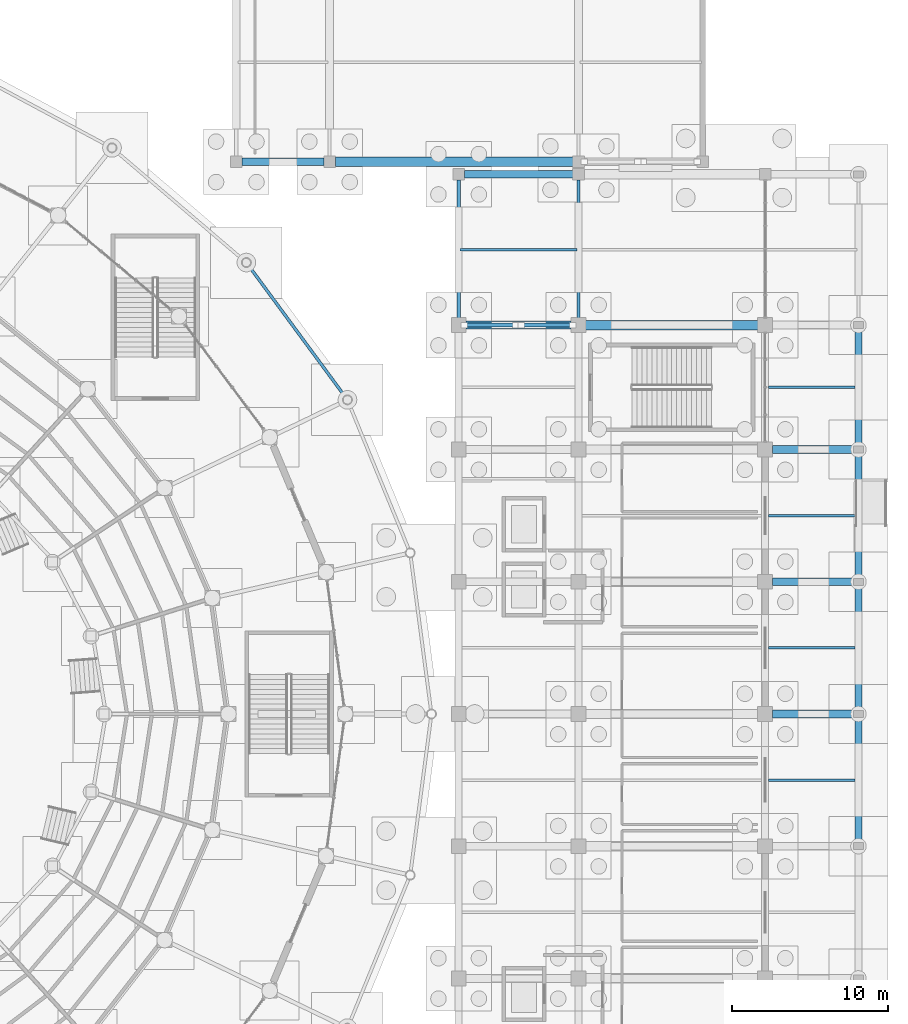
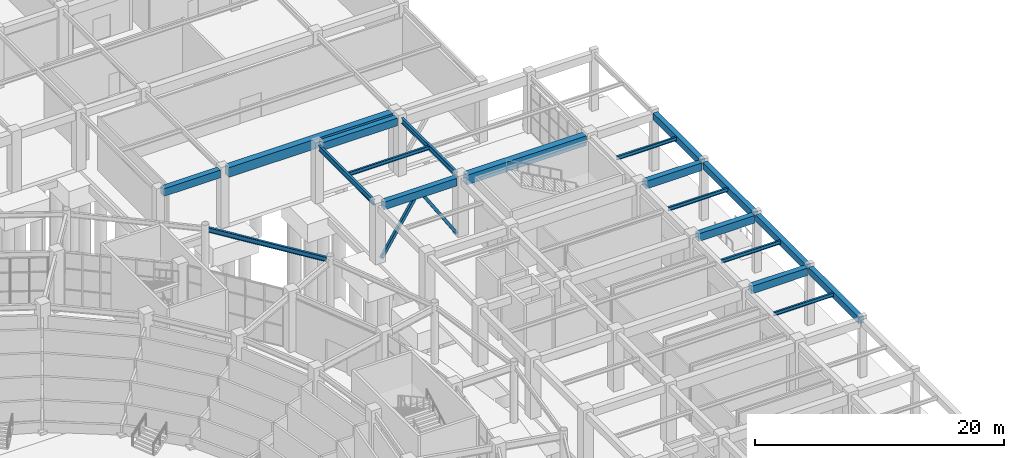
# One storey, part 60 of 121: 20 beams, 2 members.
"""IFC4 building model written with IfcOpenShell, lengths in metres."""

from ifc_helpers import new_model, si_unit, direction, frame, origin, origin_2d, place, context, subcontext, project, spatial, rectangle, hollow_rectangle, i_section, extrude, material, material_profile, profile_set, type_object, element, save


model = new_model("IFC4")

# Units and contexts
model_context = context("Model", 3, precision=1e-05, world=origin(), true_north=direction((0.0, 1.0)))
body_context = subcontext(model_context, "Body", "Model", "MODEL_VIEW")
ifc_project = project(units=[si_unit("LENGTHUNIT", "METRE"), si_unit("AREAUNIT", "SQUARE_METRE"), si_unit("VOLUMEUNIT", "CUBIC_METRE"), si_unit("PLANEANGLEUNIT", "RADIAN"), si_unit("MASSUNIT", "GRAM", prefix="KILO")], contexts=[model_context])

# Site, building, storey
site_placement = place(None, origin())
site = spatial("IfcSite", under=ifc_project, at=site_placement, CompositionType="ELEMENT")
building_placement = place(site_placement, origin())
building = spatial("IfcBuilding", under=site, at=building_placement, Name="Cuetzalor Civic Arena", CompositionType="ELEMENT")
storey_placement = place(building_placement, origin())
storey = spatial("IfcBuildingStorey", under=building, at=storey_placement, Name="L00", CompositionType="ELEMENT", Elevation=0.0)

# Beams
ifc_material_1 = material(Name="Concrete C40/50", Category="concrete")
ifc_material_profile_1 = material_profile(ifc_material_1, rectangle(XDim=0.5, YDim=0.75, at=origin_2d()), Name="RC 500x750")
ifc_profile_set_1 = profile_set([ifc_material_profile_1], Name="Concrete C40/50")
beam_type_1 = type_object("IfcBeamType", Name="ConcreteFrameBeam_500x750", PredefinedType="BEAM", material=ifc_profile_set_1)
for number, where, z_axis, x_axis, name in (
    (1, (76.465087890625, 0.0, 5.324951171875), (1.0, 0.0, 0.0), (0.0, 1.0, 0.0), "Frame Girder V4E-L00-X0158"),
    (2, (76.465087890625, 8.5, 5.324951171875), (1.0, 0.0, 0.0), (0.0, 1.0, 0.0), "Frame Girder V4E-L00-X0161"),
    (3, (76.465087890625, 17.0, 5.324951171875), (1.0, 0.0, 0.0), (0.0, 1.0, 0.0), "Frame Girder V4E-L00-X0164"),
):
    element("IfcBeam", number, at=place(storey_placement, frame(where, z_axis=z_axis, x_axis=x_axis)), inside=storey, type_object=beam_type_1, Name=name, PredefinedType="BEAM", context=body_context, shape_type="SweptSolid", body=[
        extrude(rectangle(XDim=0.5, YDim=0.75, at=origin_2d()), origin(), (0.0, 0.0, 1.0), 5.219970703125),
    ])
beam_1_placement = place(storey_placement, frame((56.764892578125, 25.0, 5.324951171875), z_axis=(1.0, 0.0, 0.0), x_axis=(0.0, 1.0, 0.0)))
element("IfcBeam", 4, at=beam_1_placement, inside=storey, type_object=beam_type_1, Name="Frame Girder V4E-L00-X0165", PredefinedType="BEAM", context=body_context, shape_type="SweptSolid", body=[
    extrude(rectangle(XDim=0.5, YDim=0.75, at=origin_2d()), origin(), (0.0, 0.0, 1.0), 6.77001953125),
])
beam_2_placement = place(storey_placement, frame((56.6650390625, 34.699951171875, 5.324951171875), z_axis=(1.0, 0.0, 0.0), x_axis=(0.0, 1.0, 0.0)))
element("IfcBeam", 5, at=beam_2_placement, inside=storey, type_object=beam_type_1, Name="Frame Girder V4E-L00-X0168", PredefinedType="BEAM", context=body_context, shape_type="SweptSolid", body=[
    extrude(rectangle(XDim=0.5, YDim=0.75, at=origin_2d()), origin(), (0.0, 0.0, 1.0), 6.969970703125),
])
beam_3_placement = place(storey_placement, frame((42.364990234375, 35.5, 5.324951171875), z_axis=(1.0, 0.0, 0.0), x_axis=(0.0, 1.0, 0.0)))
element("IfcBeam", 6, at=beam_3_placement, inside=storey, type_object=beam_type_1, Name="Frame Girder V5-L00-X0216", PredefinedType="BEAM", context=body_context, shape_type="SweptSolid", body=[
    extrude(rectangle(XDim=0.5, YDim=0.75, at=origin_2d()), origin(), (0.0, 0.0, 1.0), 5.27001953125),
])
ifc_material_2 = material(Name="Concrete C40/50", Category="concrete")
ifc_material_profile_2 = material_profile(ifc_material_2, rectangle(XDim=0.60009765625, YDim=0.949951171875, at=origin_2d()), Name="RC 600x950")
ifc_profile_set_2 = profile_set([ifc_material_profile_2], Name="Concrete C40/50")
beam_type_2 = type_object("IfcBeamType", Name="ConcreteFrameBeam_600x950", PredefinedType="BEAM", material=ifc_profile_set_2)
beam_4_placement = place(storey_placement, frame((64.465087890625, 25.0, 5.22509765625), z_axis=(1.0, 0.0, 0.0), x_axis=(0.0, 1.0, 0.0)))
element("IfcBeam", 7, at=beam_4_placement, inside=storey, type_object=beam_type_2, Name="Frame Girder V4E-L00-X0166", PredefinedType="BEAM", context=body_context, shape_type="SweptSolid", body=[
    extrude(rectangle(XDim=0.60009765625, YDim=0.949951171875, at=origin_2d()), origin(), (0.0, 0.0, 1.0), 11.06982421875),
])
beam_5_placement = place(storey_placement, frame((48.364990234375, 35.5, 5.22509765625), z_axis=(1.0, 0.0, 0.0), x_axis=(0.0, 1.0, 0.0)))
element("IfcBeam", 8, at=beam_5_placement, inside=storey, type_object=beam_type_2, Name="Frame Girder V5-L00-X0217", PredefinedType="BEAM", context=body_context, shape_type="SweptSolid", body=[
    extrude(rectangle(XDim=0.60009765625, YDim=0.949951171875, at=origin_2d()), origin(), (0.0, 0.0, 1.0), 15.27001953125),
])
ifc_material_3 = material(Name="Concrete C40/50", Category="concrete")
ifc_material_profile_3 = material_profile(ifc_material_3, rectangle(XDim=0.449951171875, YDim=0.64990234375, at=origin_2d()), Name="RC 450x650")
ifc_profile_set_3 = profile_set([ifc_material_profile_3], Name="Concrete C40/50")
beam_type_3 = type_object("IfcBeamType", Name="ConcreteTieBeam_450x650", PredefinedType="BEAM", material=ifc_profile_set_3)
for number, where, z_axis, x_axis, name in (
    (9, (82.0, -8.284912109375, 5.375), (0.0, 1.0, 0.0), (-1.0, 0.0, 0.0), "Frame Girder V4E-L00-Y0208"),
    (10, (82.0, 0.215087890625, 5.375), (0.0, 1.0, 0.0), (-1.0, 0.0, 0.0), "Frame Girder V4E-L00-Y0209"),
    (11, (82.0, 8.715087890625, 5.375), (0.0, 1.0, 0.0), (-1.0, 0.0, 0.0), "Frame Girder V4E-L00-Y0210"),
):
    element("IfcBeam", number, at=place(storey_placement, frame(where, z_axis=z_axis, x_axis=x_axis)), inside=storey, type_object=beam_type_3, Name=name, PredefinedType="BEAM", context=body_context, shape_type="SweptSolid", body=[
        extrude(rectangle(XDim=0.449951171875, YDim=0.64990234375, at=origin_2d()), origin(), (0.0, 0.0, 1.0), 8.06982421875),
    ])
beam_6_placement = place(storey_placement, frame((82.0, 17.215087890625, 5.375), z_axis=(0.0, 1.0, 0.0), x_axis=(-1.0, 0.0, 0.0)))
element("IfcBeam", 12, at=beam_6_placement, inside=storey, type_object=beam_type_3, Name="Frame Girder V4E-L00-Y0211", PredefinedType="BEAM", context=body_context, shape_type="SweptSolid", body=[
    extrude(rectangle(XDim=0.449951171875, YDim=0.64990234375, at=origin_2d()), origin(), (0.0, 0.0, 1.0), 7.56982421875),
])
ifc_material_4 = material(Name="Steel S355", Category="steel")
ifc_material_profile_4 = material_profile(ifc_material_4, i_section(OverallWidth=0.18994140625, OverallDepth=0.45703125, WebThickness=0.009033203125, FlangeThickness=0.014404296875, at=origin_2d()), Name="W460x74")
ifc_profile_set_4 = profile_set([ifc_material_profile_4], Name="Steel S355")
beam_type_4 = type_object("IfcBeamType", Name="FacadeSpandrelBeam_W460", PredefinedType="SPANDREL", material=ifc_profile_set_4)
beam_7_placement = place(storey_placement, frame((48.975830078125, 20.430908203125, 5.471435546875), z_axis=(-0.592928645702, 0.805255003776, 0.0), x_axis=(-0.805255003776, -0.592928645702, 0.0)))
element("IfcBeam", 13, at=beam_7_placement, inside=storey, type_object=beam_type_4, Name="Drum Perimeter Spandrel L00-S03", PredefinedType="SPANDREL", context=body_context, shape_type="SweptSolid", body=[
    extrude(i_section(OverallWidth=0.18994140625, OverallDepth=0.45703125, WebThickness=0.009033203125, FlangeThickness=0.014404296875, at=origin_2d()), origin(), (0.0, 0.0, 1.0), 10.380615234375),
])

# Members
ifc_material_5 = material(Name="Steel S355", Category="steel")
ifc_material_profile_5 = material_profile(ifc_material_5, hollow_rectangle(XDim=0.260009765625, YDim=0.260009765625, WallThickness=0.012451171875, at=origin_2d()), Name="RHS 260x260x12.5")
ifc_profile_set_5 = profile_set([ifc_material_profile_5], Name="Steel S355")
member_type = type_object("IfcMemberType", Name="LateralFrameBrace_RHS260", PredefinedType="BRACE", material=ifc_profile_set_5)
for number, where, z_axis, x_axis, name in (
    (14, (56.659912109375, 25.0, 0.14990234375), (0.542161480844, 0.0, 0.840274317523), (0.0, 1.0, 0.0), "Lateral Chevron Brace V4E-L00-023"),
    (15, (63.639892578125, 25.0, 0.14990234375), (-0.542133245744, 0.0, 0.840292534692), (0.0, -1.0, 0.0), "Lateral Chevron Brace V4E-L00-024"),
):
    element("IfcMember", number, at=place(storey_placement, frame(where, z_axis=z_axis, x_axis=x_axis)), inside=storey, type_object=member_type, Name=name, PredefinedType="BRACE", context=body_context, shape_type="SweptSolid", body=[
        extrude(hollow_rectangle(XDim=0.260009765625, YDim=0.260009765625, WallThickness=0.012451171875, at=origin_2d()), origin(), (0.0, 0.0, 1.0), 6.105224609375),
    ])

# Beams
ifc_material_6 = material(Name="Steel S355", Category="steel")
ifc_material_profile_6 = material_profile(ifc_material_6, i_section(OverallWidth=0.1708984375, OverallDepth=0.35498046875, WebThickness=0.007080078125, FlangeThickness=0.01171875, at=origin_2d()), Name="W360x51")
ifc_profile_set_6 = profile_set([ifc_material_profile_6], Name="Steel S355")
beam_type_5 = type_object("IfcBeamType", Name="SecondaryFloorJoist_W360", PredefinedType="JOIST", material=ifc_profile_set_6)
beam_8_placement = place(storey_placement, frame((56.396484375, 29.85009765625, 5.5224609375), z_axis=(1.0, 0.0, 0.0), x_axis=(0.0, 1.0, 0.0)))
element("IfcBeam", 16, at=beam_8_placement, inside=storey, type_object=beam_type_5, Name="Secondary Floor Joist V4E-L00-0053", PredefinedType="JOIST", context=body_context, shape_type="SweptSolid", body=[
    extrude(i_section(OverallWidth=0.1708984375, OverallDepth=0.35498046875, WebThickness=0.007080078125, FlangeThickness=0.01171875, at=origin_2d()), origin(), (0.0, 0.0, 1.0), 7.507080078125),
])
for number, where, z_axis, x_axis, name in (
    (17, (76.217041015625, -4.25, 5.5224609375), (1.0, 0.0, 0.0), (0.0, 1.0, 0.0), "Secondary Floor Joist V4E-L00-0066"),
    (18, (76.217041015625, 4.25, 5.5224609375), (1.0, 0.0, 0.0), (0.0, 1.0, 0.0), "Secondary Floor Joist V4E-L00-0067"),
    (19, (76.217041015625, 12.75, 5.5224609375), (1.0, 0.0, 0.0), (0.0, 1.0, 0.0), "Secondary Floor Joist V4E-L00-0068"),
    (20, (76.217041015625, 21.0, 5.5224609375), (1.0, 0.0, 0.0), (0.0, 1.0, 0.0), "Secondary Floor Joist V4E-L00-0069"),
):
    element("IfcBeam", number, at=place(storey_placement, frame(where, z_axis=z_axis, x_axis=x_axis)), inside=storey, type_object=beam_type_5, Name=name, PredefinedType="JOIST", context=body_context, shape_type="SweptSolid", body=[
        extrude(i_section(OverallWidth=0.1708984375, OverallDepth=0.35498046875, WebThickness=0.007080078125, FlangeThickness=0.01171875, at=origin_2d()), origin(), (0.0, 0.0, 1.0), 5.56591796875),
    ])
ifc_material_7 = material(Name="Steel S355", Category="steel")
ifc_material_profile_7 = material_profile(ifc_material_7, i_section(OverallWidth=0.208984375, OverallDepth=0.532958984375, WebThickness=0.01025390625, FlangeThickness=0.015625, at=origin_2d()), Name="W530x92")
ifc_profile_set_7 = profile_set([ifc_material_profile_7], Name="Steel S355")
beam_type_6 = type_object("IfcBeamType", Name="SteelCollarGirder_W530", PredefinedType="BEAM", material=ifc_profile_set_7)
for number, where, z_axis, x_axis, name in (
    (21, (56.300048828125, 25.465087890625, 5.43359375), (0.0, 1.0, 0.0), (-1.0, 0.0, 0.0), "Frame Girder V4E-L00-Y0182"),
    (22, (64.0, 25.465087890625, 5.43359375), (0.0, 1.0, 0.0), (-1.0, 0.0, 0.0), "Frame Girder V4E-L00-Y0192"),
):
    element("IfcBeam", number, at=place(storey_placement, frame(where, z_axis=z_axis, x_axis=x_axis)), inside=storey, type_object=beam_type_6, Name=name, PredefinedType="BEAM", context=body_context, shape_type="SweptSolid", body=[
        extrude(i_section(OverallWidth=0.208984375, OverallDepth=0.532958984375, WebThickness=0.01025390625, FlangeThickness=0.015625, at=origin_2d()), origin(), (0.0, 0.0, 1.0), 8.869873046875),
    ])

save(model, "model.ifc")
